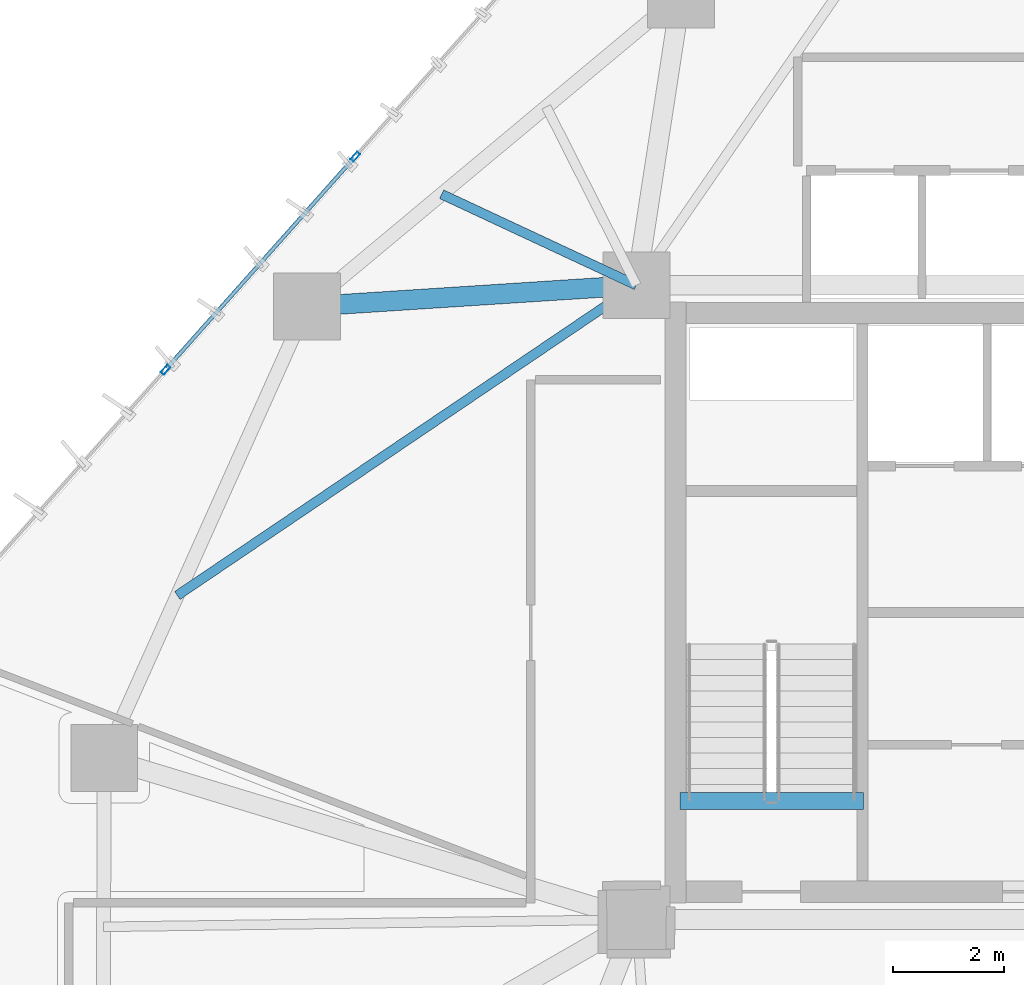
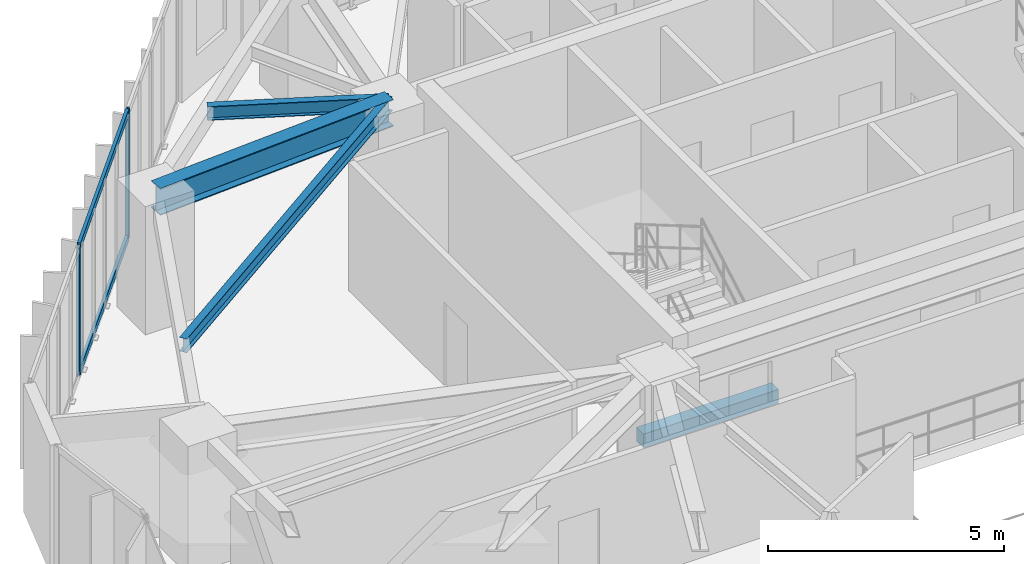
# One storey, part 10 of 23: 4 beams, 4 members, 1 element without a shape of its own.
"""IFC4 building model written with IfcOpenShell, lengths in metres."""

from ifc_helpers import new_model, si_unit, direction, frame, origin, origin_2d, place, context, subcontext, project, spatial, rectangle, hollow_rectangle, i_section, extrude, source, transform, mapped, material, layer, layer_set, material_profile, profile_set, type_object, type_shapes, element, aggregate, save


model = new_model("IFC4")

# Units and contexts
model_context = context("Model", 3, precision=1e-05, world=origin(), true_north=direction((0.0, 1.0)))
body_context = subcontext(model_context, "Body", "Model", "MODEL_VIEW")
ifc_project = project(units=[si_unit("LENGTHUNIT", "METRE"), si_unit("AREAUNIT", "SQUARE_METRE"), si_unit("VOLUMEUNIT", "CUBIC_METRE"), si_unit("PLANEANGLEUNIT", "RADIAN"), si_unit("MASSUNIT", "GRAM", prefix="KILO")], contexts=[model_context])

# Site, building, storey
site_placement = place(None, origin())
site = spatial("IfcSite", under=ifc_project, at=site_placement, CompositionType="ELEMENT")
building_placement = place(site_placement, origin())
building = spatial("IfcBuilding", under=site, at=building_placement, Name="Talar Marvaseh", CompositionType="ELEMENT")
storey_placement = place(building_placement, frame((0.0, 0.0, 103.800048828125)))
storey = spatial("IfcBuildingStorey", under=building, at=storey_placement, Name="L26", CompositionType="ELEMENT", Elevation=103.800048828125)

# Beams
ifc_material_1 = material(Name="Concrete C40/50", Category="concrete")
ifc_material_profile_1 = material_profile(ifc_material_1, rectangle(XDim=0.300048828125, YDim=0.360107421875, at=origin_2d()), Name="RC300x360")
ifc_profile_set_1 = profile_set([ifc_material_profile_1], Name="Concrete C40/50")
beam_type_1 = type_object("IfcBeamType", Name="Concrete Stair Landing Trimmer Beam RC300x360", PredefinedType="SPANDREL", material=ifc_profile_set_1)
beam_1_placement = place(storey_placement, frame((22.780029296875, 27.6298828125, -0.179931640625), z_axis=(-1.0, 0.0, 0.0), x_axis=(0.0, -1.0, 0.0)))
element("IfcBeam", 1, at=beam_1_placement, inside=storey, type_object=beam_type_1, Name="L26 ST-1 Stair Nosing Trimmer Beam", PredefinedType="SPANDREL", context=body_context, shape_type="SweptSolid", body=[
    extrude(rectangle(XDim=0.300048828125, YDim=0.360107421875, at=origin_2d()), origin(), (0.0, 0.0, 1.0), 3.300048828125),
])
ifc_material_2 = material(Name="Steel S355", Category="steel")
ifc_material_profile_2 = material_profile(ifc_material_2, i_section(OverallWidth=0.35498046875, OverallDepth=0.695068359375, WebThickness=0.015380859375, FlangeThickness=0.02490234375, at=origin_2d()), Name="W690x217")
ifc_profile_set_2 = profile_set([ifc_material_profile_2], Name="Steel S355")
beam_type_2 = type_object("IfcBeamType", Name="Zone 2 Radial Floor Girder W690x217", PredefinedType="BEAM", material=ifc_profile_set_2)
beam_2_placement = place(storey_placement, frame((12.780029296875, 36.51708984375, 2.96240234375), z_axis=(0.997915745008, 0.064530348407, 0.0), x_axis=(-0.064530348407, 0.997915745008, 0.0)))
element("IfcBeam", 2, at=beam_2_placement, inside=storey, type_object=beam_type_2, Name="L26 Zone 2 Radial Floor Girder W690x217", PredefinedType="BEAM", context=body_context, shape_type="SweptSolid", body=[
    extrude(i_section(OverallWidth=0.35498046875, OverallDepth=0.695068359375, WebThickness=0.015380859375, FlangeThickness=0.02490234375, at=origin_2d()), origin(), (0.0, 0.0, 1.0), 5.932373046875),
])
ifc_material_profile_3 = material_profile(ifc_material_2, i_section(OverallWidth=0.172119140625, OverallDepth=0.35791015625, WebThickness=0.0078125, FlangeThickness=0.01318359375, at=origin_2d()), Name="W360x57")
ifc_profile_set_3 = profile_set([ifc_material_profile_3], Name="Steel S355")
beam_type_3 = type_object("IfcBeamType", Name="Zone 2 Secondary Floor Joist W360x57", PredefinedType="JOIST", material=ifc_profile_set_3)
beam_3_placement = place(storey_placement, frame((10.44921875, 31.323486328125, 3.130859375), z_axis=(0.828514577653, 0.55996749425, 0.0), x_axis=(-0.55996749425, 0.828514577653, 0.0)))
element("IfcBeam", 3, at=beam_3_placement, inside=storey, type_object=beam_type_3, Name="L26 Zone 2 Secondary Floor Joist W360x57", PredefinedType="JOIST", context=body_context, shape_type="SweptSolid", body=[
    extrude(i_section(OverallWidth=0.172119140625, OverallDepth=0.35791015625, WebThickness=0.0078125, FlangeThickness=0.01318359375, at=origin_2d()), origin(), (0.0, 0.0, 1.0), 9.95849609375),
])
beam_4_placement = place(storey_placement, frame((15.19970703125, 38.53515625, 3.130859375), z_axis=(0.906003856895, -0.423269431086, 0.0), x_axis=(0.423269431086, 0.906003856895, 0.0)))
element("IfcBeam", 4, at=beam_4_placement, inside=storey, type_object=beam_type_3, Name="L26 Zone 2 Secondary Floor Joist W360x57", PredefinedType="JOIST", context=body_context, shape_type="SweptSolid", body=[
    extrude(i_section(OverallWidth=0.172119140625, OverallDepth=0.35791015625, WebThickness=0.0078125, FlangeThickness=0.01318359375, at=origin_2d()), origin(), (0.0, 0.0, 1.0), 3.86328125),
])

# Curtain wall, members
ifc_material_3 = material(Name="Architectural Aluminium", Category="aluminium")
ifc_layer = layer(ifc_material_3, 0.199951171875)
ifc_layer_set = layer_set([ifc_layer], Name="Architectural Aluminium")
curtain_wall_type = type_object("IfcCurtainWallType", Name="Unitised Acoustic Library Curtain Wall Z2", PredefinedType="NOTDEFINED", material=ifc_layer_set)
curtain_wall_placement = place(storey_placement, origin())
curtain_wall = element("IfcCurtainWall", 5, at=curtain_wall_placement, inside=storey, type_object=curtain_wall_type, Name="L26 Unitised Acoustic Library Curtain Wall Z2", PredefinedType="NOTDEFINED")
ifc_material_profile_4 = material_profile(ifc_material_3, hollow_rectangle(XDim=0.074951171875, YDim=0.179931640625, WallThickness=0.0048828125, at=origin_2d()), Name="RHS180x75x5")
ifc_profile_set_4 = profile_set([ifc_material_profile_4], Name="Architectural Aluminium")
member_type_1 = type_object("IfcMemberType", Name="Unitised Curtain Wall Standard Mullion RHS180x75x5", PredefinedType="MULLION", material=ifc_profile_set_4)
shared_shape_1 = source(origin(), body_context, "Body", "SweptSolid", [
    extrude(hollow_rectangle(XDim=0.074951171875, YDim=0.179931640625, WallThickness=0.0048828125, at=origin_2d()), origin(), (0.0, 0.0, 1.0), 3.31005859375),
])
type_shapes(member_type_1, [shared_shape_1])
member_1_placement = place(storey_placement, frame((10.236328125, 35.37841796875, 0.0), z_axis=(0.0, 0.0, 1.0), x_axis=(-0.746844063395, 0.664999206745, 0.0)))
member_1 = element("IfcMember", 6, at=member_1_placement, type_object=member_type_1, Name="CW-Z2 mullion 2", PredefinedType="MULLION", context=body_context, shape_type="MappedRepresentation", body=[
    mapped(shared_shape_1, transform((0.0, 0.0, 0.0), x_axis=(1.0, 0.0, 0.0), y_axis=(0.0, 1.0, 0.0), z_axis=(0.0, 0.0, 1.0), scale=1.0)),
])
member_2_placement = place(storey_placement, frame((13.647705078125, 39.209716796875, 0.0), z_axis=(0.0, 0.0, 1.0), x_axis=(-0.746844063395, 0.664999206745, 0.0)))
member_2 = element("IfcMember", 7, at=member_2_placement, type_object=member_type_1, Name="CW-Z2 mullion 3", PredefinedType="MULLION", context=body_context, shape_type="MappedRepresentation", body=[
    mapped(shared_shape_1, transform((0.0, 0.0, 0.0), x_axis=(1.0, 0.0, 0.0), y_axis=(0.0, 1.0, 0.0), z_axis=(0.0, 0.0, 1.0), scale=1.0)),
])
ifc_material_profile_5 = material_profile(ifc_material_3, hollow_rectangle(XDim=0.074951171875, YDim=0.179931640625, WallThickness=0.0048828125, at=origin_2d()), Name="RHS180x75x5")
ifc_profile_set_5 = profile_set([ifc_material_profile_5], Name="Architectural Aluminium")
member_type_2 = type_object("IfcMemberType", Name="Unitised Curtain Wall Transom RHS180x75x5", PredefinedType="USERDEFINED", material=ifc_profile_set_5)
shared_shape_2 = source(origin(), body_context, "Body", "SweptSolid", [
    extrude(hollow_rectangle(XDim=0.074951171875, YDim=0.179931640625, WallThickness=0.0048828125, at=origin_2d()), origin(), (0.0, 0.0, 1.0), 5.054931640625),
])
type_shapes(member_type_2, [shared_shape_2])
member_3_placement = place(storey_placement, frame((10.26123046875, 35.406494140625, 0.037353515625), z_axis=(0.665014110255, 0.746830792859, 0.0), x_axis=(-0.746830792859, 0.665014110255, 0.0)))
member_3 = element("IfcMember", 8, at=member_3_placement, type_object=member_type_2, Name="CW-Z2 transom 2.1", ObjectType="TRANSOM", PredefinedType="USERDEFINED", context=body_context, shape_type="MappedRepresentation", body=[
    mapped(shared_shape_2, transform((0.0, 0.0, 0.0), x_axis=(1.0, 0.0, 0.0), y_axis=(0.0, 1.0, 0.0), z_axis=(0.0, 0.0, 1.0), scale=1.0)),
])
member_4_placement = place(storey_placement, frame((10.26123046875, 35.406494140625, 3.2724609375), z_axis=(0.665014110255, 0.746830792859, 0.0), x_axis=(-0.746830792859, 0.665014110255, 0.0)))
member_4 = element("IfcMember", 9, at=member_4_placement, type_object=member_type_2, Name="CW-Z2 transom 2.2", ObjectType="TRANSOM", PredefinedType="USERDEFINED", context=body_context, shape_type="MappedRepresentation", body=[
    mapped(shared_shape_2, transform((0.0, 0.0, 0.0), x_axis=(1.0, 0.0, 0.0), y_axis=(0.0, 1.0, 0.0), z_axis=(0.0, 0.0, 1.0), scale=1.0)),
])
aggregate(curtain_wall, [member_1, member_2, member_3, member_4])

save(model, "model.ifc")
